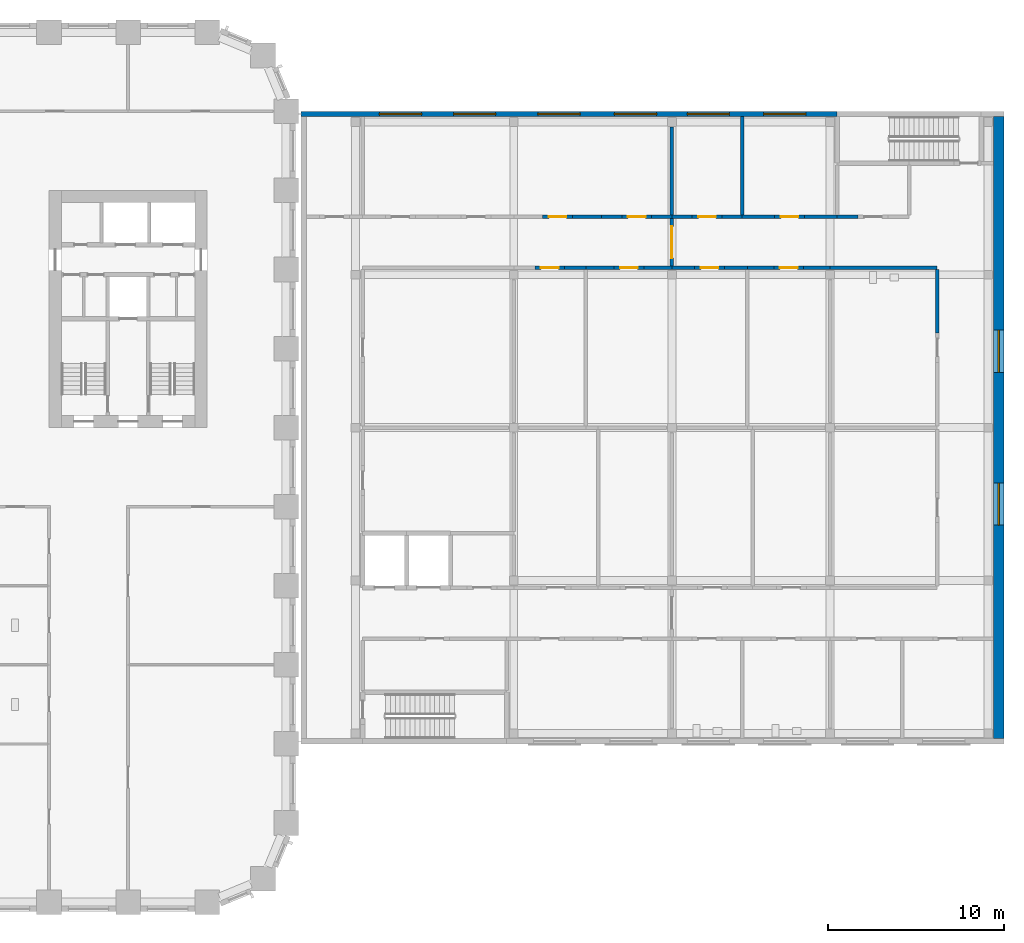
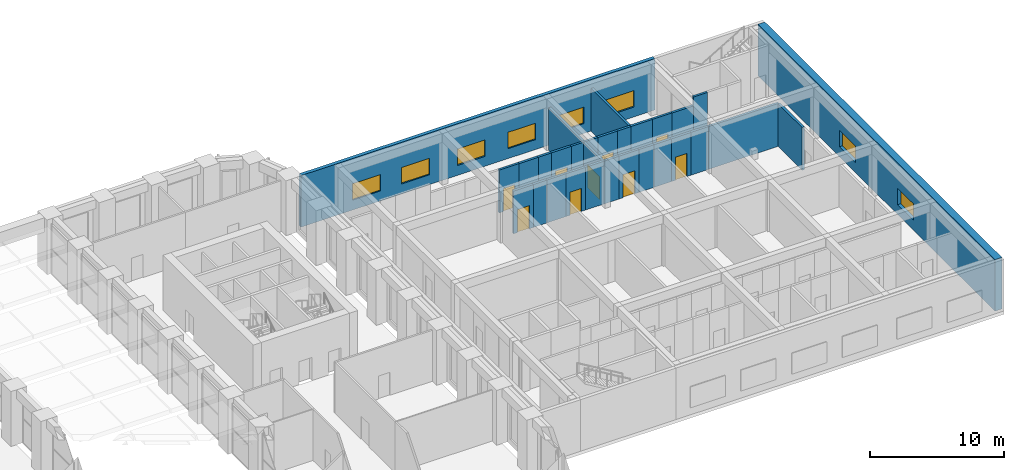
# One storey, part 15 of 24: 30 walls, 9 doors, 8 windows, 17 openings.
"""IFC4 building model written with IfcOpenShell, lengths in metres."""

import ifcopenshell
import ifcopenshell.guid

model = None  # the IFC model being written
_history = None  # IfcOwnerHistory: only IFC2X3 demands one
_inside = {}  # id of a spatial element -> (the spatial element, [elements in it])
_under = {}  # id of a project, library or spatial element -> (it, [spatial elements below it])
_declared = {}  # id of a project -> (the project, [libraries it declares])
_typed = {}  # id of a type object -> (the type object, [elements of that type])
_made_of = {}  # id of a material, layer set ... -> (it, [elements and type objects made of it])


def new_model(schema):
    """Start an empty IFC model of exactly this schema.

    Asked for "IFC4X3", IfcOpenShell would pick the latest addendum, in which some entities
    have other attributes; the version numbers below select the first issue.
    IFC2X3 requires an IfcOwnerHistory on every rooted entity: one is made here for all.
    """
    global model, _history
    if schema == "IFC4X3":
        model = ifcopenshell.file(schema_version=(4, 3, 0, 0))
    else:
        model = ifcopenshell.file(schema=schema)
    _inside.clear()
    _under.clear()
    _declared.clear()
    _typed.clear()
    _made_of.clear()
    _history = None
    if model.schema == "IFC2X3":
        org = make("IfcOrganization", Name="unknown")
        user = make(
            "IfcPersonAndOrganization",
            ThePerson=make("IfcPerson", FamilyName="unknown"),
            TheOrganization=org,
        )
        app = make(
            "IfcApplication",
            ApplicationDeveloper=org,
            Version="unknown",
            ApplicationFullName="unknown",
            ApplicationIdentifier="unknown",
        )
        _history = make(
            "IfcOwnerHistory",
            OwningUser=user,
            OwningApplication=app,
            ChangeAction="ADDED",
            CreationDate=0,
        )
    return model


def make(cls, **values):
    """One entity of the class cls with the attributes given. An attribute that is None is left unset."""
    return model.create_entity(
        cls, **{name: value for name, value in values.items() if value is not None}
    )


def rooted(cls, **values):
    """An entity with a GlobalId (a new one), such as an element, a storey or a relation."""
    return make(cls, GlobalId=ifcopenshell.guid.new(), OwnerHistory=_history, **values)


def si_unit(unit_type, name, prefix=None):
    """IfcSIUnit, for example si_unit("LENGTHUNIT", "METRE", prefix="MILLI")."""
    return make("IfcSIUnit", UnitType=unit_type, Prefix=prefix, Name=name)


def assignment(units):
    """IfcUnitAssignment: the units of a project."""
    return None if units is None else make("IfcUnitAssignment", Units=units)


def point(xyz):
    """IfcCartesianPoint."""
    return None if xyz is None else make("IfcCartesianPoint", Coordinates=xyz)


def direction(xyz):
    """IfcDirection."""
    return None if xyz is None else make("IfcDirection", DirectionRatios=xyz)


def frame(location, z_axis=None, x_axis=None):
    """IfcAxis2Placement3D, a coordinate frame: its origin and axes. An axis left out is left unset."""
    return make(
        "IfcAxis2Placement3D",
        Location=point(location),
        Axis=direction(z_axis),
        RefDirection=direction(x_axis),
    )


def frame_2d(location, x_axis=None):
    """IfcAxis2Placement2D, a coordinate frame in the plane: its origin and x axis."""
    return make(
        "IfcAxis2Placement2D", Location=point(location), RefDirection=direction(x_axis)
    )


def origin():
    """The frame at (0, 0, 0) with its axes left unset."""
    return frame((0.0, 0.0, 0.0))


def place(relative_to, where):
    """IfcLocalPlacement: puts the frame where relative to a parent placement (None: the world)."""
    return make(
        "IfcLocalPlacement", PlacementRelTo=relative_to, RelativePlacement=where
    )


def context(
    kind, dimensions, precision=None, world=None, true_north=None, identifier=None
):
    """IfcGeometricRepresentationContext, for example the 3D "Model" context."""
    return make(
        "IfcGeometricRepresentationContext",
        ContextIdentifier=identifier,
        ContextType=kind,
        CoordinateSpaceDimension=dimensions,
        Precision=precision,
        WorldCoordinateSystem=world,
        TrueNorth=true_north,
    )


def subcontext(parent, identifier, kind, view, scale=None):
    """IfcGeometricRepresentationSubContext, for example "Body" below "Model"."""
    return make(
        "IfcGeometricRepresentationSubContext",
        ContextIdentifier=identifier,
        ContextType=kind,
        ParentContext=parent,
        TargetScale=scale,
        TargetView=view,
    )


def project(units=None, contexts=None):
    """IfcProject with its units and contexts."""
    return rooted(
        "IfcProject",
        Name="project",
        RepresentationContexts=contexts,
        UnitsInContext=assignment(units),
    )


def spatial(cls, under=None, at=None, **own):
    """A site, building, storey or space (cls), placed at a placement, below another one or the project."""
    s = rooted(cls, ObjectPlacement=at, **own)
    if under is not None:
        _under.setdefault(under.id(), (under, []))[1].append(s)
    return s


def profile(cls, at=None, kind="AREA", **sizes):
    """A parametric profile (cls). Its sizes go by their IFC names, for example OverallWidth=200.0."""
    return make(cls, ProfileType=kind, Position=at, **sizes)


def rectangle(**sizes):
    """IfcRectangleProfileDef."""
    return profile("IfcRectangleProfileDef", **sizes)


def extrude(swept, where, along, depth):
    """IfcExtrudedAreaSolid: the profile swept, set in the frame where, extruded along a direction by depth."""
    return make(
        "IfcExtrudedAreaSolid",
        SweptArea=swept,
        Position=where,
        ExtrudedDirection=direction(along),
        Depth=depth,
    )


def shape(context_of_items, identifier, shape_type, items):
    """IfcShapeRepresentation: the items that make up one representation, for example the "Body"."""
    return make(
        "IfcShapeRepresentation",
        ContextOfItems=context_of_items,
        RepresentationIdentifier=identifier,
        RepresentationType=shape_type,
        Items=items,
    )


def material(Name=None, Category=None):
    """IfcMaterial."""
    return make("IfcMaterial", Name=Name, Category=Category)


def layer(
    of_material, thickness, ventilated=None, Name=None, Category=None, Priority=None
):
    """IfcMaterialLayer: one layer of a wall or slab, of a material (None: an air gap)."""
    return make(
        "IfcMaterialLayer",
        Material=of_material,
        LayerThickness=thickness,
        IsVentilated=ventilated,
        Name=Name,
        Category=Category,
        Priority=Priority,
    )


def layer_set(layers, Name=None):
    """IfcMaterialLayerSet."""
    return make("IfcMaterialLayerSet", MaterialLayers=layers, LayerSetName=Name)


def made_of(thing, what):
    """Note that an element or type object is made of a material, layer set ...; save() writes the relation."""
    if what is not None:
        _made_of.setdefault(what.id(), (what, []))[1].append(thing)
    return thing


def type_object(cls, material=None, **own):
    """A type object (cls), such as IfcWallType, which elements share."""
    return made_of(rooted(cls, **own), material)


def element(
    cls,
    number,
    at=None,
    inside=None,
    cuts=None,
    type_object=None,
    material=None,
    context=None,
    identifier="Body",
    shape_type=None,
    held_by="IfcProductDefinitionShape",
    body=None,
    shapes=None,
    **own,
):
    """One element of the class cls, such as IfcWall. Its Tag is "e" and its number.

    at: its placement. inside: the storey or other place that contains it. cuts: it is an
    opening in that element (IfcRelVoidsElement). A single representation is given by context,
    identifier, shape_type and body (its items); several are given by shapes. held_by: the class
    of the entity that holds the representations. save() writes the other relations.
    """
    e = rooted(cls, Tag="e%d" % number, ObjectPlacement=at, **own)
    if body is not None:
        shapes = [shape(context, identifier, shape_type, body)]
    if shapes is not None:
        e.Representation = make(held_by, Representations=shapes)
    if inside is not None:
        _inside.setdefault(inside.id(), (inside, []))[1].append(e)
    if cuts is not None:
        rooted(
            "IfcRelVoidsElement", RelatingBuildingElement=cuts, RelatedOpeningElement=e
        )
    if type_object is not None:
        _typed.setdefault(type_object.id(), (type_object, []))[1].append(e)
    return made_of(e, material)


def fill(opening, filler):
    """IfcRelFillsElement: the door or window that sits in an opening."""
    return rooted(
        "IfcRelFillsElement",
        RelatingOpeningElement=opening,
        RelatedBuildingElement=filler,
    )


def aggregate(whole, parts):
    """IfcRelAggregates: a whole, such as a stair, and the parts it consists of."""
    return rooted("IfcRelAggregates", RelatingObject=whole, RelatedObjects=parts)


def save(model, path):
    """Write the relations noted so far, then the file.

    IfcRelAggregates (storeys below a building ...), IfcRelContainedInSpatialStructure (elements
    in a storey), IfcRelDefinesByType, IfcRelAssociatesMaterial and IfcRelDeclares: one each for
    every whole, place, type object, material and project.
    """
    for whole, parts in _under.values():
        aggregate(whole, parts)
    for where, things in _inside.values():
        rooted(
            "IfcRelContainedInSpatialStructure",
            RelatedElements=things,
            RelatingStructure=where,
        )
    for kind, things in _typed.values():
        rooted("IfcRelDefinesByType", RelatedObjects=things, RelatingType=kind)
    for what, things in _made_of.values():
        rooted("IfcRelAssociatesMaterial", RelatedObjects=things, RelatingMaterial=what)
    for by, libraries in _declared.values():
        rooted("IfcRelDeclares", RelatingContext=by, RelatedDefinitions=libraries)
    model.write(path)


model = new_model("IFC4")

# Units and contexts
model_context = context("Model", 3, precision=1e-05, world=origin(), true_north=direction((0.0, 1.0)))
body_context = subcontext(model_context, "Body", "Model", "MODEL_VIEW")
ifc_project = project(units=[si_unit("LENGTHUNIT", "METRE"), si_unit("AREAUNIT", "SQUARE_METRE"), si_unit("VOLUMEUNIT", "CUBIC_METRE"), si_unit("PLANEANGLEUNIT", "RADIAN"), si_unit("MASSUNIT", "GRAM", prefix="KILO")], contexts=[model_context])

# Site, building, storey
site_placement = place(None, origin())
site = spatial("IfcSite", under=ifc_project, at=site_placement, CompositionType="ELEMENT")
building_placement = place(site_placement, origin())
building = spatial("IfcBuilding", under=site, at=building_placement, Name="Girih Gate Residences", CompositionType="ELEMENT")
storey_placement = place(building_placement, frame((0.0, 0.0, 16.0)))
storey = spatial("IfcBuildingStorey", under=building, at=storey_placement, Name="L03", CompositionType="ELEMENT", Elevation=16.0)

# Wall, opening, door
ifc_material_1 = material(Name="Fire-rated gypsum partition")
ifc_layer_1 = layer(ifc_material_1, 0.199951171875)
ifc_layer_set_1 = layer_set([ifc_layer_1], Name="HC Corridor wall 200 EI 60")
wall_type_1 = type_object("IfcWallType", Name="HC Corridor wall 200 EI 60", PredefinedType="PARTITIONING", material=ifc_layer_set_1)
wall_1_placement = place(storey_placement, frame((65.35009765625, 36.10009765625, 0.0), z_axis=(0.0, 0.0, 1.0), x_axis=(-1.0, 0.0, 0.0)))
wall_1 = element("IfcWall", 1, at=wall_1_placement, inside=storey, type_object=wall_type_1, Name="L03 wall x36.10/63.6", PredefinedType="PARTITIONING", context=body_context, shape_type="SweptSolid", body=[
    extrude(rectangle(XDim=1.7001953125, YDim=0.199951171875, at=frame_2d((0.85009765625, 0.0))), origin(), (0.0, 0.0, 1.0), 3.89990234375),
])
opening_1_placement = place(wall_1_placement, frame((0.35009765625, 0.0, 0.0)))
opening_1 = element("IfcOpeningElement", 2, at=opening_1_placement, cuts=wall_1, Name="Opening HC-L03-D22", PredefinedType="OPENING", context=body_context, shape_type="SweptSolid", body=[
    extrude(rectangle(XDim=1.0, YDim=2.10009765625, at=frame_2d((0.5, 1.050048828125))), frame((0.0, 0.10986328125, 0.0), z_axis=(0.0, -1.0, 0.0), x_axis=(1.0, 0.0, 0.0)), (0.0, 0.0, 1.0), 0.219970703125),
])
ifc_material_2 = material(Name="Timber door set", Category="wood")
door_type_1 = type_object("IfcDoorType", Name="HC Door 1000x2100 FD30S", OperationType="NOTDEFINED", PredefinedType="DOOR", material=ifc_material_2)
door_1_placement = place(opening_1_placement, origin())
door_1 = element("IfcDoor", 3, at=door_1_placement, inside=storey, type_object=door_type_1, Name="L03 Group therapy room door", OperationType="SINGLE_SWING_LEFT", OverallHeight=2.10009765625, OverallWidth=1.0, PredefinedType="DOOR", context=body_context, shape_type="SweptSolid", body=[
    extrude(rectangle(XDim=1.0, YDim=2.10009765625, at=frame_2d((0.5, 1.050048828125))), frame((0.0, 0.02490234375, 0.0), z_axis=(0.0, -1.0, 0.0), x_axis=(1.0, 0.0, 0.0)), (0.0, 0.0, 1.0), 0.050048828125),
])
fill(opening_1, door_1)

# Walls
wall_2_placement = place(storey_placement, frame((65.35009765625, 36.10009765625, 0.0), z_axis=(0.0, 0.0, 1.0), x_axis=(1.0, 0.0, 0.0)))
element("IfcWall", 4, at=wall_2_placement, inside=storey, type_object=wall_type_1, Name="L03 wall x36.10/65.3", PredefinedType="PARTITIONING", context=body_context, shape_type="SweptSolid", body=[
    extrude(rectangle(XDim=1.199951171875, YDim=0.199951171875, at=frame_2d((0.60009765625, 0.0))), origin(), (0.0, 0.0, 1.0), 3.89990234375),
])
wall_3_placement = place(storey_placement, frame((66.550048828125, 36.10009765625, 0.0), z_axis=(0.0, 0.0, 1.0), x_axis=(1.0, 0.0, 0.0)))
element("IfcWall", 5, at=wall_3_placement, inside=storey, type_object=wall_type_1, Name="L03 wall x36.10/66.5", PredefinedType="PARTITIONING", context=body_context, shape_type="SweptSolid", body=[
    extrude(rectangle(XDim=1.599853515625, YDim=0.199951171875, at=frame_2d((0.7998046875, 0.0))), origin(), (0.0, 0.0, 1.0), 3.89990234375),
])

# Wall, opening, door
wall_4_placement = place(storey_placement, frame((69.85009765625, 36.10009765625, 0.0), z_axis=(0.0, 0.0, 1.0), x_axis=(-1.0, 0.0, 0.0)))
wall_4 = element("IfcWall", 6, at=wall_4_placement, inside=storey, type_object=wall_type_1, Name="L03 wall x36.10/68.2", PredefinedType="PARTITIONING", context=body_context, shape_type="SweptSolid", body=[
    extrude(rectangle(XDim=1.7001953125, YDim=0.199951171875, at=frame_2d((0.85009765625, 0.0))), origin(), (0.0, 0.0, 1.0), 3.89990234375),
])
opening_2_placement = place(wall_4_placement, frame((0.35009765625, 0.0, 0.0)))
opening_2 = element("IfcOpeningElement", 7, at=opening_2_placement, cuts=wall_4, Name="Opening HC-L03-D23", PredefinedType="OPENING", context=body_context, shape_type="SweptSolid", body=[
    extrude(rectangle(XDim=1.0, YDim=2.10009765625, at=frame_2d((0.5, 1.050048828125))), frame((0.0, 0.10986328125, 0.0), z_axis=(0.0, -1.0, 0.0), x_axis=(1.0, 0.0, 0.0)), (0.0, 0.0, 1.0), 0.219970703125),
])
door_2_placement = place(opening_2_placement, origin())
door_2 = element("IfcDoor", 8, at=door_2_placement, inside=storey, type_object=door_type_1, Name="L03 Counselling room 1 door", OperationType="SINGLE_SWING_RIGHT", OverallHeight=2.10009765625, OverallWidth=1.0, PredefinedType="DOOR", context=body_context, shape_type="SweptSolid", body=[
    extrude(rectangle(XDim=1.0, YDim=2.10009765625, at=frame_2d((0.5, 1.050048828125))), frame((0.0, 0.02490234375, 0.0), z_axis=(0.0, -1.0, 0.0), x_axis=(1.0, 0.0, 0.0)), (0.0, 0.0, 1.0), 0.050048828125),
])
fill(opening_2, door_2)

# Walls
wall_5_placement = place(storey_placement, frame((69.85009765625, 36.10009765625, 0.0), z_axis=(0.0, 0.0, 1.0), x_axis=(1.0, 0.0, 0.0)))
element("IfcWall", 9, at=wall_5_placement, inside=storey, type_object=wall_type_1, Name="L03 wall x36.10/69.8", PredefinedType="PARTITIONING", context=body_context, shape_type="SweptSolid", body=[
    extrude(rectangle(XDim=1.599853515625, YDim=0.199951171875, at=frame_2d((0.7998046875, 0.0))), origin(), (0.0, 0.0, 1.0), 3.89990234375),
])
wall_6_placement = place(storey_placement, frame((71.449951171875, 36.10009765625, 0.0), z_axis=(0.0, 0.0, 1.0), x_axis=(1.0, 0.0, 0.0)))
element("IfcWall", 10, at=wall_6_placement, inside=storey, type_object=wall_type_1, Name="L03 wall x36.10/71.5", PredefinedType="PARTITIONING", context=body_context, shape_type="SweptSolid", body=[
    extrude(rectangle(XDim=1.300048828125, YDim=0.199951171875, at=frame_2d((0.64990234375, 0.0))), origin(), (0.0, 0.0, 1.0), 3.89990234375),
])

# Wall, opening, door
wall_7_placement = place(storey_placement, frame((74.449951171875, 36.10009765625, 0.0), z_axis=(0.0, 0.0, 1.0), x_axis=(-1.0, 0.0, 0.0)))
wall_7 = element("IfcWall", 11, at=wall_7_placement, inside=storey, type_object=wall_type_1, Name="L03 wall x36.10/72.8", PredefinedType="PARTITIONING", context=body_context, shape_type="SweptSolid", body=[
    extrude(rectangle(XDim=1.699951171875, YDim=0.199951171875, at=frame_2d((0.85009765625, 0.0))), origin(), (0.0, 0.0, 1.0), 3.89990234375),
])
opening_3_placement = place(wall_7_placement, frame((0.35009765625, 0.0, 0.0)))
opening_3 = element("IfcOpeningElement", 12, at=opening_3_placement, cuts=wall_7, Name="Opening HC-L03-D24", PredefinedType="OPENING", context=body_context, shape_type="SweptSolid", body=[
    extrude(rectangle(XDim=1.0, YDim=2.10009765625, at=frame_2d((0.5, 1.050048828125))), frame((0.0, 0.10986328125, 0.0), z_axis=(0.0, -1.0, 0.0), x_axis=(1.0, 0.0, 0.0)), (0.0, 0.0, 1.0), 0.219970703125),
])
door_3_placement = place(opening_3_placement, origin())
door_3 = element("IfcDoor", 13, at=door_3_placement, inside=storey, type_object=door_type_1, Name="L03 Counselling room 2 door", OperationType="SINGLE_SWING_LEFT", OverallHeight=2.10009765625, OverallWidth=1.0, PredefinedType="DOOR", context=body_context, shape_type="SweptSolid", body=[
    extrude(rectangle(XDim=1.0, YDim=2.10009765625, at=frame_2d((0.5, 1.050048828125))), frame((0.0, 0.02490234375, 0.0), z_axis=(0.0, -1.0, 0.0), x_axis=(1.0, 0.0, 0.0)), (0.0, 0.0, 1.0), 0.050048828125),
])
fill(opening_3, door_3)

# Walls
wall_8_placement = place(storey_placement, frame((74.449951171875, 36.10009765625, 0.0), z_axis=(0.0, 0.0, 1.0), x_axis=(1.0, 0.0, 0.0)))
element("IfcWall", 14, at=wall_8_placement, inside=storey, type_object=wall_type_1, Name="L03 wall x36.10/74.4", PredefinedType="PARTITIONING", context=body_context, shape_type="SweptSolid", body=[
    extrude(rectangle(XDim=1.300048828125, YDim=0.199951171875, at=frame_2d((0.64990234375, 0.0))), origin(), (0.0, 0.0, 1.0), 3.89990234375),
])
wall_9_placement = place(storey_placement, frame((75.75, 36.10009765625, 0.0), z_axis=(0.0, 0.0, 1.0), x_axis=(1.0, 0.0, 0.0)))
element("IfcWall", 15, at=wall_9_placement, inside=storey, type_object=wall_type_1, Name="L03 wall x36.10/75.8", PredefinedType="PARTITIONING", context=body_context, shape_type="SweptSolid", body=[
    extrude(rectangle(XDim=1.5, YDim=0.199951171875, at=frame_2d((0.75, 0.0))), origin(), (0.0, 0.0, 1.0), 3.89990234375),
])

# Wall, opening, door
wall_10_placement = place(storey_placement, frame((78.949951171875, 36.10009765625, 0.0), z_axis=(0.0, 0.0, 1.0), x_axis=(-1.0, 0.0, 0.0)))
wall_10 = element("IfcWall", 16, at=wall_10_placement, inside=storey, type_object=wall_type_1, Name="L03 wall x36.10/77.2", PredefinedType="PARTITIONING", context=body_context, shape_type="SweptSolid", body=[
    extrude(rectangle(XDim=1.699951171875, YDim=0.199951171875, at=frame_2d((0.85009765625, 0.0))), origin(), (0.0, 0.0, 1.0), 3.89990234375),
])
opening_4_placement = place(wall_10_placement, frame((0.35009765625, 0.0, 0.0)))
opening_4 = element("IfcOpeningElement", 17, at=opening_4_placement, cuts=wall_10, Name="Opening HC-L03-D25", PredefinedType="OPENING", context=body_context, shape_type="SweptSolid", body=[
    extrude(rectangle(XDim=1.0, YDim=2.10009765625, at=frame_2d((0.5, 1.050048828125))), frame((0.0, 0.10986328125, 0.0), z_axis=(0.0, -1.0, 0.0), x_axis=(1.0, 0.0, 0.0)), (0.0, 0.0, 1.0), 0.219970703125),
])
door_4_placement = place(opening_4_placement, origin())
door_4 = element("IfcDoor", 18, at=door_4_placement, inside=storey, type_object=door_type_1, Name="L03 Mental health assessment room door", OperationType="SINGLE_SWING_RIGHT", OverallHeight=2.10009765625, OverallWidth=1.0, PredefinedType="DOOR", context=body_context, shape_type="SweptSolid", body=[
    extrude(rectangle(XDim=1.0, YDim=2.10009765625, at=frame_2d((0.5, 1.050048828125))), frame((0.0, 0.02490234375, 0.0), z_axis=(0.0, -1.0, 0.0), x_axis=(1.0, 0.0, 0.0)), (0.0, 0.0, 1.0), 0.050048828125),
])
fill(opening_4, door_4)

# Walls
wall_11_placement = place(storey_placement, frame((78.949951171875, 36.10009765625, 0.0), z_axis=(0.0, 0.0, 1.0), x_axis=(1.0, 0.0, 0.0)))
element("IfcWall", 19, at=wall_11_placement, inside=storey, type_object=wall_type_1, Name="L03 wall x36.10/78.9", PredefinedType="PARTITIONING", context=body_context, shape_type="SweptSolid", body=[
    extrude(rectangle(XDim=1.5, YDim=0.199951171875, at=frame_2d((0.75, 0.0))), origin(), (0.0, 0.0, 1.0), 3.89990234375),
])
wall_12_placement = place(storey_placement, frame((80.449951171875, 36.10009765625, 0.0), z_axis=(0.0, 0.0, 1.0), x_axis=(1.0, 0.0, 0.0)))
element("IfcWall", 20, at=wall_12_placement, inside=storey, type_object=wall_type_1, Name="L03 wall x36.10/80.5", PredefinedType="PARTITIONING", context=body_context, shape_type="SweptSolid", body=[
    extrude(rectangle(XDim=6.10009765625, YDim=0.199951171875, at=frame_2d((3.050048828125, 0.0))), origin(), (0.0, 0.0, 1.0), 3.89990234375),
])

# Wall, opening, door
wall_13_placement = place(storey_placement, frame((64.10009765625, 39.0, 0.0), z_axis=(0.0, 0.0, 1.0), x_axis=(1.0, 0.0, 0.0)))
wall_13 = element("IfcWall", 21, at=wall_13_placement, inside=storey, type_object=wall_type_1, Name="L03 wall x39.00/64.1", PredefinedType="PARTITIONING", context=body_context, shape_type="SweptSolid", body=[
    extrude(rectangle(XDim=1.699951171875, YDim=0.199951171875, at=frame_2d((0.85009765625, 0.0))), origin(), (0.0, 0.0, 1.0), 3.89990234375),
])
opening_5_placement = place(wall_13_placement, frame((0.35009765625, 0.0, 0.0)))
opening_5 = element("IfcOpeningElement", 22, at=opening_5_placement, cuts=wall_13, Name="Opening HC-L03-D30", PredefinedType="OPENING", context=body_context, shape_type="SweptSolid", body=[
    extrude(rectangle(XDim=1.0, YDim=2.10009765625, at=frame_2d((0.5, 1.050048828125))), frame((0.0, 0.10986328125, 0.0), z_axis=(0.0, -1.0, 0.0), x_axis=(1.0, 0.0, 0.0)), (0.0, 0.0, 1.0), 0.219970703125),
])
door_5_placement = place(opening_5_placement, origin())
door_5 = element("IfcDoor", 23, at=door_5_placement, inside=storey, type_object=door_type_1, Name="L03 Counselling room 5 door", OperationType="SINGLE_SWING_RIGHT", OverallHeight=2.10009765625, OverallWidth=1.0, PredefinedType="DOOR", context=body_context, shape_type="SweptSolid", body=[
    extrude(rectangle(XDim=1.0, YDim=2.10009765625, at=frame_2d((0.5, 1.050048828125))), frame((0.0, 0.02490234375, 0.0), z_axis=(0.0, -1.0, 0.0), x_axis=(1.0, 0.0, 0.0)), (0.0, 0.0, 1.0), 0.050048828125),
])
fill(opening_5, door_5)

# Walls
wall_14_placement = place(storey_placement, frame((65.800048828125, 39.0, 0.0), z_axis=(0.0, 0.0, 1.0), x_axis=(1.0, 0.0, 0.0)))
element("IfcWall", 24, at=wall_14_placement, inside=storey, type_object=wall_type_1, Name="L03 wall x39.00/65.8", PredefinedType="PARTITIONING", context=body_context, shape_type="SweptSolid", body=[
    extrude(rectangle(XDim=1.64990234375, YDim=0.199951171875, at=frame_2d((0.824951171875, 0.0))), origin(), (0.0, 0.0, 1.0), 3.89990234375),
])
wall_15_placement = place(storey_placement, frame((67.449951171875, 39.0, 0.0), z_axis=(0.0, 0.0, 1.0), x_axis=(1.0, 0.0, 0.0)))
element("IfcWall", 25, at=wall_15_placement, inside=storey, type_object=wall_type_1, Name="L03 wall x39.00/67.5", PredefinedType="PARTITIONING", context=body_context, shape_type="SweptSolid", body=[
    extrude(rectangle(XDim=1.150146484375, YDim=0.199951171875, at=frame_2d((0.5751953125, 0.0))), origin(), (0.0, 0.0, 1.0), 3.89990234375),
])

# Wall, opening, door
wall_16_placement = place(storey_placement, frame((68.60009765625, 39.0, 0.0), z_axis=(0.0, 0.0, 1.0), x_axis=(1.0, 0.0, 0.0)))
wall_16 = element("IfcWall", 26, at=wall_16_placement, inside=storey, type_object=wall_type_1, Name="L03 wall x39.00/68.6", PredefinedType="PARTITIONING", context=body_context, shape_type="SweptSolid", body=[
    extrude(rectangle(XDim=1.699951171875, YDim=0.199951171875, at=frame_2d((0.85009765625, 0.0))), origin(), (0.0, 0.0, 1.0), 3.89990234375),
])
opening_6_placement = place(wall_16_placement, frame((0.35009765625, 0.0, 0.0)))
opening_6 = element("IfcOpeningElement", 27, at=opening_6_placement, cuts=wall_16, Name="Opening HC-L03-D31", PredefinedType="OPENING", context=body_context, shape_type="SweptSolid", body=[
    extrude(rectangle(XDim=1.0, YDim=2.10009765625, at=frame_2d((0.5, 1.050048828125))), frame((0.0, 0.10986328125, 0.0), z_axis=(0.0, -1.0, 0.0), x_axis=(1.0, 0.0, 0.0)), (0.0, 0.0, 1.0), 0.219970703125),
])
door_6_placement = place(opening_6_placement, origin())
door_6 = element("IfcDoor", 28, at=door_6_placement, inside=storey, type_object=door_type_1, Name="L03 Counselling room 6 door", OperationType="SINGLE_SWING_LEFT", OverallHeight=2.10009765625, OverallWidth=1.0, PredefinedType="DOOR", context=body_context, shape_type="SweptSolid", body=[
    extrude(rectangle(XDim=1.0, YDim=2.10009765625, at=frame_2d((0.5, 1.050048828125))), frame((0.0, 0.02490234375, 0.0), z_axis=(0.0, -1.0, 0.0), x_axis=(1.0, 0.0, 0.0)), (0.0, 0.0, 1.0), 0.050048828125),
])
fill(opening_6, door_6)

# Walls
wall_17_placement = place(storey_placement, frame((70.300048828125, 39.0, 0.0), z_axis=(0.0, 0.0, 1.0), x_axis=(1.0, 0.0, 0.0)))
element("IfcWall", 29, at=wall_17_placement, inside=storey, type_object=wall_type_1, Name="L03 wall x39.00/70.3", PredefinedType="PARTITIONING", context=body_context, shape_type="SweptSolid", body=[
    extrude(rectangle(XDim=1.14990234375, YDim=0.199951171875, at=frame_2d((0.574951171875, 0.0))), origin(), (0.0, 0.0, 1.0), 3.89990234375),
])
wall_18_placement = place(storey_placement, frame((71.449951171875, 39.0, 0.0), z_axis=(0.0, 0.0, 1.0), x_axis=(1.0, 0.0, 0.0)))
element("IfcWall", 30, at=wall_18_placement, inside=storey, type_object=wall_type_1, Name="L03 wall x39.00/71.5", PredefinedType="PARTITIONING", context=body_context, shape_type="SweptSolid", body=[
    extrude(rectangle(XDim=1.150146484375, YDim=0.199951171875, at=frame_2d((0.5751953125, 0.0))), origin(), (0.0, 0.0, 1.0), 3.89990234375),
])

# Wall, opening, door
wall_19_placement = place(storey_placement, frame((72.60009765625, 39.0, 0.0), z_axis=(0.0, 0.0, 1.0), x_axis=(1.0, 0.0, 0.0)))
wall_19 = element("IfcWall", 31, at=wall_19_placement, inside=storey, type_object=wall_type_1, Name="L03 wall x39.00/72.6", PredefinedType="PARTITIONING", context=body_context, shape_type="SweptSolid", body=[
    extrude(rectangle(XDim=1.699951171875, YDim=0.199951171875, at=frame_2d((0.85009765625, 0.0))), origin(), (0.0, 0.0, 1.0), 3.89990234375),
])
opening_7_placement = place(wall_19_placement, frame((0.35009765625, 0.0, 0.0)))
opening_7 = element("IfcOpeningElement", 32, at=opening_7_placement, cuts=wall_19, Name="Opening HC-L03-D32", PredefinedType="OPENING", context=body_context, shape_type="SweptSolid", body=[
    extrude(rectangle(XDim=1.0, YDim=2.10009765625, at=frame_2d((0.5, 1.050048828125))), frame((0.0, 0.10986328125, 0.0), z_axis=(0.0, -1.0, 0.0), x_axis=(1.0, 0.0, 0.0)), (0.0, 0.0, 1.0), 0.219970703125),
])
door_7_placement = place(opening_7_placement, origin())
door_7 = element("IfcDoor", 33, at=door_7_placement, inside=storey, type_object=door_type_1, Name="L03 Interview room door", OperationType="SINGLE_SWING_RIGHT", OverallHeight=2.10009765625, OverallWidth=1.0, PredefinedType="DOOR", context=body_context, shape_type="SweptSolid", body=[
    extrude(rectangle(XDim=1.0, YDim=2.10009765625, at=frame_2d((0.5, 1.050048828125))), frame((0.0, 0.02490234375, 0.0), z_axis=(0.0, -1.0, 0.0), x_axis=(1.0, 0.0, 0.0)), (0.0, 0.0, 1.0), 0.050048828125),
])
fill(opening_7, door_7)

# Walls
wall_20_placement = place(storey_placement, frame((74.300048828125, 39.0, 0.0), z_axis=(0.0, 0.0, 1.0), x_axis=(1.0, 0.0, 0.0)))
element("IfcWall", 34, at=wall_20_placement, inside=storey, type_object=wall_type_1, Name="L03 wall x39.00/74.3", PredefinedType="PARTITIONING", context=body_context, shape_type="SweptSolid", body=[
    extrude(rectangle(XDim=1.14990234375, YDim=0.199951171875, at=frame_2d((0.574951171875, 0.0))), origin(), (0.0, 0.0, 1.0), 3.89990234375),
])
wall_21_placement = place(storey_placement, frame((75.449951171875, 39.0, 0.0), z_axis=(0.0, 0.0, 1.0), x_axis=(1.0, 0.0, 0.0)))
element("IfcWall", 35, at=wall_21_placement, inside=storey, type_object=wall_type_1, Name="L03 wall x39.00/75.5", PredefinedType="PARTITIONING", context=body_context, shape_type="SweptSolid", body=[
    extrude(rectangle(XDim=1.85009765625, YDim=0.199951171875, at=frame_2d((0.925048828125, 0.0))), origin(), (0.0, 0.0, 1.0), 3.89990234375),
])

# Wall, opening, door
wall_22_placement = place(storey_placement, frame((77.300048828125, 39.0, 0.0), z_axis=(0.0, 0.0, 1.0), x_axis=(1.0, 0.0, 0.0)))
wall_22 = element("IfcWall", 36, at=wall_22_placement, inside=storey, type_object=wall_type_1, Name="L03 wall x39.00/77.3", PredefinedType="PARTITIONING", context=body_context, shape_type="SweptSolid", body=[
    extrude(rectangle(XDim=1.699951171875, YDim=0.199951171875, at=frame_2d((0.85009765625, 0.0))), origin(), (0.0, 0.0, 1.0), 3.89990234375),
])
opening_8_placement = place(wall_22_placement, frame((0.35009765625, 0.0, 0.0)))
opening_8 = element("IfcOpeningElement", 37, at=opening_8_placement, cuts=wall_22, Name="Opening HC-L03-D33", PredefinedType="OPENING", context=body_context, shape_type="SweptSolid", body=[
    extrude(rectangle(XDim=1.0, YDim=2.10009765625, at=frame_2d((0.5, 1.050048828125))), frame((0.0, 0.10986328125, 0.0), z_axis=(0.0, -1.0, 0.0), x_axis=(1.0, 0.0, 0.0)), (0.0, 0.0, 1.0), 0.219970703125),
])
door_8_placement = place(opening_8_placement, origin())
door_8 = element("IfcDoor", 38, at=door_8_placement, inside=storey, type_object=door_type_1, Name="L03 Counselling room 7 door", OperationType="SINGLE_SWING_LEFT", OverallHeight=2.10009765625, OverallWidth=1.0, PredefinedType="DOOR", context=body_context, shape_type="SweptSolid", body=[
    extrude(rectangle(XDim=1.0, YDim=2.10009765625, at=frame_2d((0.5, 1.050048828125))), frame((0.0, 0.02490234375, 0.0), z_axis=(0.0, -1.0, 0.0), x_axis=(1.0, 0.0, 0.0)), (0.0, 0.0, 1.0), 0.050048828125),
])
fill(opening_8, door_8)

# Walls
wall_23_placement = place(storey_placement, frame((79.0, 39.0, 0.0), z_axis=(0.0, 0.0, 1.0), x_axis=(1.0, 0.0, 0.0)))
element("IfcWall", 39, at=wall_23_placement, inside=storey, type_object=wall_type_1, Name="L03 wall x39.00/79.0", PredefinedType="PARTITIONING", context=body_context, shape_type="SweptSolid", body=[
    extrude(rectangle(XDim=1.85009765625, YDim=0.199951171875, at=frame_2d((0.925048828125, 0.0))), origin(), (0.0, 0.0, 1.0), 3.89990234375),
])
wall_24_placement = place(storey_placement, frame((80.85009765625, 39.0, 0.0), z_axis=(0.0, 0.0, 1.0), x_axis=(1.0, 0.0, 0.0)))
element("IfcWall", 40, at=wall_24_placement, inside=storey, type_object=wall_type_1, Name="L03 wall x39.00/80.8", PredefinedType="PARTITIONING", context=body_context, shape_type="SweptSolid", body=[
    extrude(rectangle(XDim=1.199951171875, YDim=0.199951171875, at=frame_2d((0.60009765625, 0.0))), origin(), (0.0, 0.0, 1.0), 4.699951171875),
])

# Wall, opening, door
wall_25_placement = place(storey_placement, frame((71.449951171875, 38.89990234375, 0.0), z_axis=(0.0, 0.0, 1.0), x_axis=(0.0, -1.0, 0.0)))
wall_25 = element("IfcWall", 41, at=wall_25_placement, inside=storey, type_object=wall_type_1, Name="L03 wall y71.45/36.2", PredefinedType="PARTITIONING", context=body_context, shape_type="SweptSolid", body=[
    extrude(rectangle(XDim=2.699951171875, YDim=0.199951171875, at=frame_2d((1.35009765625, 0.0))), origin(), (0.0, 0.0, 1.0), 3.89990234375),
])
opening_9_placement = place(wall_25_placement, frame((0.449951171875, 0.0, 0.0)))
opening_9 = element("IfcOpeningElement", 42, at=opening_9_placement, cuts=wall_25, Name="Opening HC-L03-D06", PredefinedType="OPENING", context=body_context, shape_type="SweptSolid", body=[
    extrude(rectangle(XDim=1.800048828125, YDim=2.10009765625, at=frame_2d((0.89990234375, 1.050048828125))), frame((0.0, 0.10986328125, 0.0), z_axis=(0.0, -1.0, 0.0), x_axis=(1.0, 0.0, 0.0)), (0.0, 0.0, 1.0), 0.219970703125),
])
door_type_2 = type_object("IfcDoorType", Name="HC Corridor fire door pair 1800x2100 FD30S", OperationType="NOTDEFINED", PredefinedType="DOOR", material=ifc_material_2)
door_9_placement = place(opening_9_placement, origin())
door_9 = element("IfcDoor", 43, at=door_9_placement, inside=storey, type_object=door_type_2, Name="L03 corridor north fire door pair", OperationType="DOUBLE_DOOR_DOUBLE_SWING", OverallHeight=2.10009765625, OverallWidth=1.800048828125, PredefinedType="DOOR", context=body_context, shape_type="SweptSolid", body=[
    extrude(rectangle(XDim=1.800048828125, YDim=2.10009765625, at=frame_2d((0.89990234375, 1.050048828125))), frame((0.0, 0.02490234375, 0.0), z_axis=(0.0, -1.0, 0.0), x_axis=(1.0, 0.0, 0.0)), (0.0, 0.0, 1.0), 0.050048828125),
])
fill(opening_9, door_9)

# Wall
wall_26_placement = place(storey_placement, frame((86.550048828125, 32.39990234375, 0.0), z_axis=(0.0, 0.0, 1.0), x_axis=(0.0, 1.0, 0.0)))
element("IfcWall", 44, at=wall_26_placement, inside=storey, type_object=wall_type_1, Name="L03 wall y86.55/32.4", PredefinedType="PARTITIONING", context=body_context, shape_type="SweptSolid", body=[
    extrude(rectangle(XDim=3.60009765625, YDim=0.199951171875, at=frame_2d((1.800048828125, 0.0))), origin(), (0.0, 0.0, 1.0), 3.89990234375),
])

# Wall, openings, windows
ifc_material_3 = material(Name="Precast concrete C40/50", Category="concrete")
ifc_layer_2 = layer(ifc_material_3, 0.300048828125)
ifc_layer_set_2 = layer_set([ifc_layer_2], Name="HC Facade wall 300")
wall_type_2 = type_object("IfcWallType", Name="HC Facade wall 300", PredefinedType="SOLIDWALL", material=ifc_layer_set_2)
wall_27_placement = place(storey_placement, frame((50.35009765625, 44.85009765625, 0.0), z_axis=(0.0, 0.0, 1.0), x_axis=(1.0, 0.0, 0.0)))
wall_27 = element("IfcWall", 45, at=wall_27_placement, inside=storey, type_object=wall_type_2, Name="L03 north facade wall", PredefinedType="SOLIDWALL", context=body_context, shape_type="SweptSolid", body=[
    extrude(rectangle(XDim=30.5, YDim=0.300048828125, at=frame_2d((15.25, 0.0))), origin(), (0.0, 0.0, 1.0), 4.699951171875),
])
opening_10_placement = place(wall_27_placement, frame((4.449951171875, 0.0, 0.89990234375)))
opening_10 = element("IfcOpeningElement", 46, at=opening_10_placement, cuts=wall_27, Name="Opening HC-W-L03-N01", PredefinedType="OPENING", context=body_context, shape_type="SweptSolid", body=[
    extrude(rectangle(XDim=2.39990234375, YDim=1.5, at=frame_2d((1.199951171875, 0.75))), frame((0.0, 0.159912109375, 0.0), z_axis=(0.0, -1.0, 0.0), x_axis=(1.0, 0.0, 0.0)), (0.0, 0.0, 1.0), 0.320068359375),
])
opening_11_placement = place(wall_27_placement, frame((8.675048828125, 0.0, 0.89990234375)))
opening_11 = element("IfcOpeningElement", 47, at=opening_11_placement, cuts=wall_27, Name="Opening HC-W-L03-N02", PredefinedType="OPENING", context=body_context, shape_type="SweptSolid", body=[
    extrude(rectangle(XDim=2.39990234375, YDim=1.5, at=frame_2d((1.199951171875, 0.75))), frame((0.0, 0.159912109375, 0.0), z_axis=(0.0, -1.0, 0.0), x_axis=(1.0, 0.0, 0.0)), (0.0, 0.0, 1.0), 0.320068359375),
])
opening_12_placement = place(wall_27_placement, frame((13.47509765625, 0.0, 0.89990234375)))
opening_12 = element("IfcOpeningElement", 48, at=opening_12_placement, cuts=wall_27, Name="Opening HC-W-L03-N03", PredefinedType="OPENING", context=body_context, shape_type="SweptSolid", body=[
    extrude(rectangle(XDim=2.39990234375, YDim=1.5, at=frame_2d((1.199951171875, 0.75))), frame((0.0, 0.159912109375, 0.0), z_axis=(0.0, -1.0, 0.0), x_axis=(1.0, 0.0, 0.0)), (0.0, 0.0, 1.0), 0.320068359375),
])
opening_13_placement = place(wall_27_placement, frame((17.824951171875, 0.0, 0.89990234375)))
opening_13 = element("IfcOpeningElement", 49, at=opening_13_placement, cuts=wall_27, Name="Opening HC-W-L03-N04", PredefinedType="OPENING", context=body_context, shape_type="SweptSolid", body=[
    extrude(rectangle(XDim=2.39990234375, YDim=1.5, at=frame_2d((1.199951171875, 0.75))), frame((0.0, 0.159912109375, 0.0), z_axis=(0.0, -1.0, 0.0), x_axis=(1.0, 0.0, 0.0)), (0.0, 0.0, 1.0), 0.320068359375),
])
opening_14_placement = place(wall_27_placement, frame((21.97509765625, 0.0, 0.89990234375)))
opening_14 = element("IfcOpeningElement", 50, at=opening_14_placement, cuts=wall_27, Name="Opening HC-W-L03-N05", PredefinedType="OPENING", context=body_context, shape_type="SweptSolid", body=[
    extrude(rectangle(XDim=2.39990234375, YDim=1.5, at=frame_2d((1.199951171875, 0.75))), frame((0.0, 0.159912109375, 0.0), z_axis=(0.0, -1.0, 0.0), x_axis=(1.0, 0.0, 0.0)), (0.0, 0.0, 1.0), 0.320068359375),
])
opening_15_placement = place(wall_27_placement, frame((26.324951171875, 0.0, 0.89990234375)))
opening_15 = element("IfcOpeningElement", 51, at=opening_15_placement, cuts=wall_27, Name="Opening HC-W-L03-N06", PredefinedType="OPENING", context=body_context, shape_type="SweptSolid", body=[
    extrude(rectangle(XDim=2.39990234375, YDim=1.5, at=frame_2d((1.199951171875, 0.75))), frame((0.0, 0.159912109375, 0.0), z_axis=(0.0, -1.0, 0.0), x_axis=(1.0, 0.0, 0.0)), (0.0, 0.0, 1.0), 0.320068359375),
])
ifc_material_4 = material(Name="Aluminium framed glazing", Category="aluminium")
window_type = type_object("IfcWindowType", Name="HC Window W-4 2400x1500", PartitioningType="DOUBLE_PANEL_VERTICAL", PredefinedType="WINDOW", material=ifc_material_4)
window_1_placement = place(opening_10_placement, origin())
window_1 = element("IfcWindow", 52, at=window_1_placement, inside=storey, type_object=window_type, Name="L03 north window 1", OverallHeight=1.5, OverallWidth=2.39990234375, PartitioningType="DOUBLE_PANEL_VERTICAL", PredefinedType="WINDOW", context=body_context, shape_type="SweptSolid", body=[
    extrude(rectangle(XDim=2.39990234375, YDim=1.5, at=frame_2d((1.199951171875, 0.75))), frame((0.0, 0.030029296875, 0.0), z_axis=(0.0, -1.0, 0.0), x_axis=(1.0, 0.0, 0.0)), (0.0, 0.0, 1.0), 0.06005859375),
])
fill(opening_10, window_1)
window_2_placement = place(opening_11_placement, origin())
window_2 = element("IfcWindow", 53, at=window_2_placement, inside=storey, type_object=window_type, Name="L03 north window 2", OverallHeight=1.5, OverallWidth=2.39990234375, PartitioningType="DOUBLE_PANEL_VERTICAL", PredefinedType="WINDOW", context=body_context, shape_type="SweptSolid", body=[
    extrude(rectangle(XDim=2.39990234375, YDim=1.5, at=frame_2d((1.199951171875, 0.75))), frame((0.0, 0.030029296875, 0.0), z_axis=(0.0, -1.0, 0.0), x_axis=(1.0, 0.0, 0.0)), (0.0, 0.0, 1.0), 0.06005859375),
])
fill(opening_11, window_2)
window_3_placement = place(opening_12_placement, origin())
window_3 = element("IfcWindow", 54, at=window_3_placement, inside=storey, type_object=window_type, Name="L03 north window 3", OverallHeight=1.5, OverallWidth=2.39990234375, PartitioningType="DOUBLE_PANEL_VERTICAL", PredefinedType="WINDOW", context=body_context, shape_type="SweptSolid", body=[
    extrude(rectangle(XDim=2.39990234375, YDim=1.5, at=frame_2d((1.199951171875, 0.75))), frame((0.0, 0.030029296875, 0.0), z_axis=(0.0, -1.0, 0.0), x_axis=(1.0, 0.0, 0.0)), (0.0, 0.0, 1.0), 0.06005859375),
])
fill(opening_12, window_3)
window_4_placement = place(opening_13_placement, origin())
window_4 = element("IfcWindow", 55, at=window_4_placement, inside=storey, type_object=window_type, Name="L03 north window 4", OverallHeight=1.5, OverallWidth=2.39990234375, PartitioningType="DOUBLE_PANEL_VERTICAL", PredefinedType="WINDOW", context=body_context, shape_type="SweptSolid", body=[
    extrude(rectangle(XDim=2.39990234375, YDim=1.5, at=frame_2d((1.199951171875, 0.75))), frame((0.0, 0.030029296875, 0.0), z_axis=(0.0, -1.0, 0.0), x_axis=(1.0, 0.0, 0.0)), (0.0, 0.0, 1.0), 0.06005859375),
])
fill(opening_13, window_4)
window_5_placement = place(opening_14_placement, origin())
window_5 = element("IfcWindow", 56, at=window_5_placement, inside=storey, type_object=window_type, Name="L03 north window 5", OverallHeight=1.5, OverallWidth=2.39990234375, PartitioningType="DOUBLE_PANEL_VERTICAL", PredefinedType="WINDOW", context=body_context, shape_type="SweptSolid", body=[
    extrude(rectangle(XDim=2.39990234375, YDim=1.5, at=frame_2d((1.199951171875, 0.75))), frame((0.0, 0.030029296875, 0.0), z_axis=(0.0, -1.0, 0.0), x_axis=(1.0, 0.0, 0.0)), (0.0, 0.0, 1.0), 0.06005859375),
])
fill(opening_14, window_5)
window_6_placement = place(opening_15_placement, origin())
window_6 = element("IfcWindow", 57, at=window_6_placement, inside=storey, type_object=window_type, Name="L03 north window 6", OverallHeight=1.5, OverallWidth=2.39990234375, PartitioningType="DOUBLE_PANEL_VERTICAL", PredefinedType="WINDOW", context=body_context, shape_type="SweptSolid", body=[
    extrude(rectangle(XDim=2.39990234375, YDim=1.5, at=frame_2d((1.199951171875, 0.75))), frame((0.0, 0.030029296875, 0.0), z_axis=(0.0, -1.0, 0.0), x_axis=(1.0, 0.0, 0.0)), (0.0, 0.0, 1.0), 0.06005859375),
])
fill(opening_15, window_6)

ifc_layer_3 = layer(ifc_material_3, 0.60009765625)
ifc_layer_set_3 = layer_set([ifc_layer_3], Name="HC Facade wall 600")
wall_type_3 = type_object("IfcWallType", Name="HC Facade wall 600", PredefinedType="SOLIDWALL", material=ifc_layer_set_3)
wall_28_placement = place(storey_placement, frame((90.050048828125, 9.300048828125, 0.0), z_axis=(0.0, 0.0, 1.0), x_axis=(0.0, 1.0, 0.0)))
wall_28 = element("IfcWall", 58, at=wall_28_placement, inside=storey, type_object=wall_type_3, Name="L03 east facade wall", PredefinedType="SOLIDWALL", context=body_context, shape_type="SweptSolid", body=[
    extrude(rectangle(XDim=35.39990234375, YDim=0.60009765625, at=frame_2d((17.699951171875, 0.0))), origin(), (0.0, 0.0, 1.0), 4.699951171875),
])
opening_16_placement = place(wall_28_placement, frame((12.14990234375, 0.0, 0.89990234375)))
opening_16 = element("IfcOpeningElement", 59, at=opening_16_placement, cuts=wall_28, Name="Opening HC-W-L03-E01", PredefinedType="OPENING", context=body_context, shape_type="SweptSolid", body=[
    extrude(rectangle(XDim=2.39990234375, YDim=1.5, at=frame_2d((1.199951171875, 0.75))), frame((0.0, 0.31005859375, 0.0), z_axis=(0.0, -1.0, 0.0), x_axis=(1.0, 0.0, 0.0)), (0.0, 0.0, 1.0), 0.6201171875),
])
opening_17_placement = place(wall_28_placement, frame((20.85009765625, 0.0, 0.89990234375)))
opening_17 = element("IfcOpeningElement", 60, at=opening_17_placement, cuts=wall_28, Name="Opening HC-W-L03-E02", PredefinedType="OPENING", context=body_context, shape_type="SweptSolid", body=[
    extrude(rectangle(XDim=2.39990234375, YDim=1.5, at=frame_2d((1.199951171875, 0.75))), frame((0.0, 0.31005859375, 0.0), z_axis=(0.0, -1.0, 0.0), x_axis=(1.0, 0.0, 0.0)), (0.0, 0.0, 1.0), 0.6201171875),
])
window_7_placement = place(opening_16_placement, origin())
window_7 = element("IfcWindow", 61, at=window_7_placement, inside=storey, type_object=window_type, Name="L03 east window 1", OverallHeight=1.5, OverallWidth=2.39990234375, PartitioningType="DOUBLE_PANEL_VERTICAL", PredefinedType="WINDOW", context=body_context, shape_type="SweptSolid", body=[
    extrude(rectangle(XDim=2.39990234375, YDim=1.5, at=frame_2d((1.199951171875, 0.75))), frame((0.0, 0.030029296875, 0.0), z_axis=(0.0, -1.0, 0.0), x_axis=(1.0, 0.0, 0.0)), (0.0, 0.0, 1.0), 0.06005859375),
])
fill(opening_16, window_7)
window_8_placement = place(opening_17_placement, origin())
window_8 = element("IfcWindow", 62, at=window_8_placement, inside=storey, type_object=window_type, Name="L03 east window 2", OverallHeight=1.5, OverallWidth=2.39990234375, PartitioningType="DOUBLE_PANEL_VERTICAL", PredefinedType="WINDOW", context=body_context, shape_type="SweptSolid", body=[
    extrude(rectangle(XDim=2.39990234375, YDim=1.5, at=frame_2d((1.199951171875, 0.75))), frame((0.0, 0.030029296875, 0.0), z_axis=(0.0, -1.0, 0.0), x_axis=(1.0, 0.0, 0.0)), (0.0, 0.0, 1.0), 0.06005859375),
])
fill(opening_17, window_8)

# Walls
ifc_material_5 = material(Name="Gypsum partition")
ifc_layer_4 = layer(ifc_material_5, 0.199951171875)
ifc_layer_set_4 = layer_set([ifc_layer_4], Name="HC Room partition 200 EI 30")
wall_type_4 = type_object("IfcWallType", Name="HC Room partition 200 EI 30", PredefinedType="PARTITIONING", material=ifc_layer_set_4)
wall_29_placement = place(storey_placement, frame((71.449951171875, 39.10009765625, 0.0), z_axis=(0.0, 0.0, 1.0), x_axis=(0.0, 1.0, 0.0)))
element("IfcWall", 63, at=wall_29_placement, inside=storey, type_object=wall_type_4, Name="L03 wall y71.45/39.1", PredefinedType="PARTITIONING", context=body_context, shape_type="SweptSolid", body=[
    extrude(rectangle(XDim=5.0, YDim=0.199951171875, at=frame_2d((2.5, 0.0))), origin(), (0.0, 0.0, 1.0), 3.89990234375),
])
wall_30_placement = place(storey_placement, frame((75.449951171875, 39.10009765625, 0.0), z_axis=(0.0, 0.0, 1.0), x_axis=(0.0, 1.0, 0.0)))
element("IfcWall", 64, at=wall_30_placement, inside=storey, type_object=wall_type_4, Name="L03 wall y75.45/39.1", PredefinedType="PARTITIONING", context=body_context, shape_type="SweptSolid", body=[
    extrude(rectangle(XDim=5.599853515625, YDim=0.199951171875, at=frame_2d((2.7998046875, 0.0))), origin(), (0.0, 0.0, 1.0), 3.89990234375),
])

save(model, "model.ifc")
